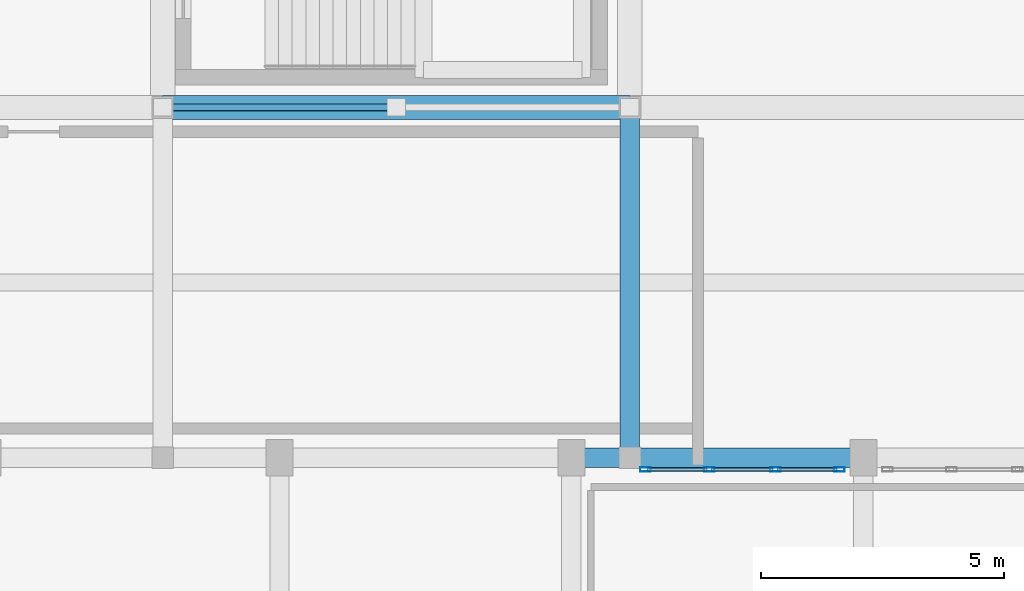
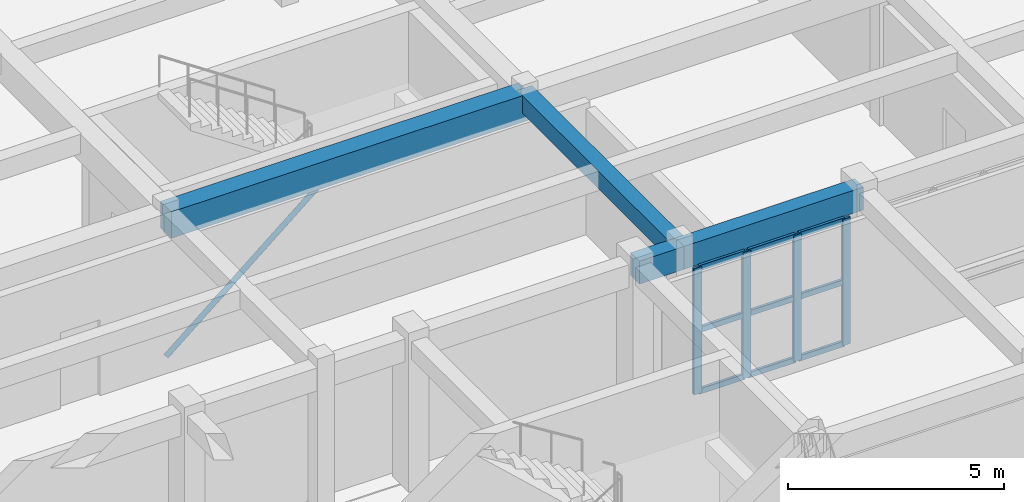
# One storey, part 48 of 92: 14 members, 4 beams, 1 element without a shape of its own.
"""IFC4 building model written with IfcOpenShell, lengths in metres."""

from ifc_helpers import new_model, si_unit, direction, frame, origin, origin_2d, place, context, subcontext, project, spatial, rectangle, hollow_rectangle, hollow_circle, extrude, material, layer, layer_set, material_profile, profile_set, type_object, element, aggregate, save


model = new_model("IFC4")

# Units and contexts
model_context = context("Model", 3, precision=1e-05, world=origin(), true_north=direction((0.0, 1.0)))
body_context = subcontext(model_context, "Body", "Model", "MODEL_VIEW")
ifc_project = project(units=[si_unit("LENGTHUNIT", "METRE"), si_unit("AREAUNIT", "SQUARE_METRE"), si_unit("VOLUMEUNIT", "CUBIC_METRE"), si_unit("PLANEANGLEUNIT", "RADIAN"), si_unit("MASSUNIT", "GRAM", prefix="KILO")], contexts=[model_context])

# Site, building, storey
site_placement = place(None, origin())
site = spatial("IfcSite", under=ifc_project, at=site_placement, CompositionType="ELEMENT")
building_placement = place(site_placement, origin())
building = spatial("IfcBuilding", under=site, at=building_placement, Name="Tarnavel Promenade Courthouse", CompositionType="ELEMENT")
storey_placement = place(building_placement, frame((0.0, 0.0, 5.39990234375)))
storey = spatial("IfcBuildingStorey", under=building, at=storey_placement, Name="L02", CompositionType="ELEMENT", Elevation=5.39990234375)

# Beams
ifc_material_1 = material(Name="Concrete C40/50", Category="concrete")
ifc_material_profile_1 = material_profile(ifc_material_1, rectangle(XDim=0.39990234375, YDim=0.5, at=origin_2d()), Name="RC 400x500")
ifc_profile_set_1 = profile_set([ifc_material_profile_1], Name="Concrete C40/50")
beam_type_1 = type_object("IfcBeamType", Name="Concrete C40/50 BM-RC-400x500 (RC 400x500)", PredefinedType="BEAM", material=ifc_profile_set_1)
beam_1_placement = place(storey_placement, frame((139.199951171875, 67.199951171875, 3.985107421875), z_axis=(0.0, 1.0, 0.0), x_axis=(-1.0, 0.0, 0.0)))
element("IfcBeam", 1, at=beam_1_placement, inside=storey, type_object=beam_type_1, Name="L02 Transverse Girder 1337", PredefinedType="BEAM", context=body_context, shape_type="SweptSolid", body=[
    extrude(rectangle(XDim=0.39990234375, YDim=0.5, at=origin_2d()), origin(), (0.0, 0.0, 1.0), 7.199951171875),
])
ifc_material_profile_2 = material_profile(ifc_material_1, rectangle(XDim=0.39990234375, YDim=0.64990234375, at=origin_2d()), Name="RC 400x650")
ifc_profile_set_2 = profile_set([ifc_material_profile_2], Name="Concrete C40/50")
beam_type_2 = type_object("IfcBeamType", Name="Concrete C40/50 BM-RC-400x650 (RC 400x650)", PredefinedType="BEAM", material=ifc_profile_set_2)
beam_2_placement = place(storey_placement, frame((138.0, 67.199951171875, 3.91015625), z_axis=(1.0, 0.0, 0.0), x_axis=(0.0, 1.0, 0.0)))
element("IfcBeam", 2, at=beam_2_placement, inside=storey, type_object=beam_type_2, Name="L02 Primary Longitudinal Beam 1144", PredefinedType="BEAM", context=body_context, shape_type="SweptSolid", body=[
    extrude(rectangle(XDim=0.39990234375, YDim=0.64990234375, at=origin_2d()), origin(), (0.0, 0.0, 1.0), 1.199951171875),
])
beam_3_placement = place(storey_placement, frame((139.199951171875, 67.199951171875, 3.91015625), z_axis=(1.0, 0.0, 0.0), x_axis=(0.0, 1.0, 0.0)))
element("IfcBeam", 3, at=beam_3_placement, inside=storey, type_object=beam_type_2, Name="L02 Primary Longitudinal Beam 1145", PredefinedType="BEAM", context=body_context, shape_type="SweptSolid", body=[
    extrude(rectangle(XDim=0.39990234375, YDim=0.64990234375, at=origin_2d()), origin(), (0.0, 0.0, 1.0), 4.800048828125),
])
ifc_material_profile_3 = material_profile(ifc_material_1, rectangle(XDim=0.5, YDim=0.75, at=origin_2d()), Name="RC 500x750")
ifc_profile_set_3 = profile_set([ifc_material_profile_3], Name="Concrete C40/50")
beam_type_3 = type_object("IfcBeamType", Name="Concrete C40/50 BM-RC-500x750 (RC 500x750)", PredefinedType="T_BEAM", material=ifc_profile_set_3)
beam_4_placement = place(storey_placement, frame((129.60009765625, 74.39990234375, 3.860107421875), z_axis=(1.0, 0.0, 0.0), x_axis=(0.0, 1.0, 0.0)))
element("IfcBeam", 4, at=beam_4_placement, inside=storey, type_object=beam_type_3, Name="L02 Primary Longitudinal Beam 1164", PredefinedType="T_BEAM", context=body_context, shape_type="SweptSolid", body=[
    extrude(rectangle(XDim=0.5, YDim=0.75, at=origin_2d()), origin(), (0.0, 0.0, 1.0), 9.599853515625),
])

# Member
ifc_material_2 = material(Name="Steel S355J2", Category="steel")
ifc_material_profile_4 = material_profile(ifc_material_2, hollow_circle(Radius=0.06982421875, WallThickness=0.008056640625, at=origin_2d()), Name="CHS 139.7x8")
ifc_profile_set_4 = profile_set([ifc_material_profile_4], Name="Steel S355J2")
member_type_1 = type_object("IfcMemberType", Name="Steel S355J2 MEM-BR-CHS140 (CHS 139.7x8)", PredefinedType="BRACE", material=ifc_profile_set_4)
member_1_placement = place(storey_placement, frame((129.60009765625, 74.39990234375, 0.0), z_axis=(0.769381215256, 0.0, 0.638789907255), x_axis=(0.0, 1.0, 0.0)))
element("IfcMember", 5, at=member_1_placement, inside=storey, type_object=member_type_1, Name="L02 V6 Chevron Brace A 049", PredefinedType="BRACE", context=body_context, shape_type="SweptSolid", body=[
    extrude(hollow_circle(Radius=0.06982421875, WallThickness=0.008056640625, at=origin_2d()), origin(), (0.0, 0.0, 1.0), 6.238525390625),
])

# Curtain wall, members
ifc_material_3 = material(Name="Thermally Broken Anodised Aluminium Curtain Wall System", Category="aluminium")
ifc_layer = layer(ifc_material_3, 0.199951171875)
ifc_layer_set = layer_set([ifc_layer], Name="Thermally Broken Anodised Aluminium Curtain Wall System")
curtain_wall_type = type_object("IfcCurtainWallType", Name="Thermally Broken Aluminium Triple-Glazed Curtain Wall CW-FOYER", PredefinedType="NOTDEFINED", material=ifc_layer_set)
curtain_wall_placement = place(storey_placement, origin())
curtain_wall = element("IfcCurtainWall", 6, at=curtain_wall_placement, inside=storey, type_object=curtain_wall_type, Name="L02 Ceremonial North Cloister Curtain Wall 174", PredefinedType="NOTDEFINED")
ifc_material_4 = material(Name="Thermally Broken Anodised Aluminium Frame", Category="aluminium")
ifc_material_profile_5 = material_profile(ifc_material_4, hollow_rectangle(XDim=0.090087890625, YDim=0.219970703125, WallThickness=0.0048828125, InnerFilletRadius=0.0048828125, OuterFilletRadius=0.010009765625, at=origin_2d()), Name="CWM 220x90x5")
ifc_profile_set_5 = profile_set([ifc_material_profile_5], Name="Thermally Broken Anodised Aluminium Frame")
member_type_2 = type_object("IfcMemberType", Name="Thermally Broken Anodised Aluminium CWM-175 (CWM 220x90x5)", PredefinedType="MULLION", material=ifc_profile_set_5)
member_2_placement = place(storey_placement, frame((143.5048828125, 66.9599609375, 0.0), z_axis=(0.0, 0.0, 1.0), x_axis=(0.0, -1.0, 0.0)))
member_2 = element("IfcMember", 7, at=member_2_placement, type_object=member_type_2, Name="CW-04 mullion 1", PredefinedType="MULLION", context=body_context, shape_type="SweptSolid", body=[
    extrude(hollow_rectangle(XDim=0.090087890625, YDim=0.219970703125, WallThickness=0.0048828125, InnerFilletRadius=0.0048828125, OuterFilletRadius=0.010009765625, at=origin_2d()), origin(), (0.0, 0.0, 1.0), 3.570068359375),
])
member_3_placement = place(storey_placement, frame((142.191650390625, 66.9599609375, 0.0), z_axis=(0.0, 0.0, 1.0), x_axis=(0.0, -1.0, 0.0)))
member_3 = element("IfcMember", 8, at=member_3_placement, type_object=member_type_2, Name="CW-04 mullion 2", PredefinedType="MULLION", context=body_context, shape_type="SweptSolid", body=[
    extrude(hollow_rectangle(XDim=0.090087890625, YDim=0.219970703125, WallThickness=0.0048828125, InnerFilletRadius=0.0048828125, OuterFilletRadius=0.010009765625, at=origin_2d()), origin(), (0.0, 0.0, 1.0), 3.570068359375),
])
member_4_placement = place(storey_placement, frame((140.833251953125, 66.9599609375, 0.0), z_axis=(0.0, 0.0, 1.0), x_axis=(0.0, -1.0, 0.0)))
member_4 = element("IfcMember", 9, at=member_4_placement, type_object=member_type_2, Name="CW-04 mullion 3", PredefinedType="MULLION", context=body_context, shape_type="SweptSolid", body=[
    extrude(hollow_rectangle(XDim=0.090087890625, YDim=0.219970703125, WallThickness=0.0048828125, InnerFilletRadius=0.0048828125, OuterFilletRadius=0.010009765625, at=origin_2d()), origin(), (0.0, 0.0, 1.0), 3.570068359375),
])
member_5_placement = place(storey_placement, frame((139.52001953125, 66.9599609375, 0.0), z_axis=(0.0, 0.0, 1.0), x_axis=(0.0, -1.0, 0.0)))
member_5 = element("IfcMember", 10, at=member_5_placement, type_object=member_type_2, Name="CW-04 mullion 4", PredefinedType="MULLION", context=body_context, shape_type="SweptSolid", body=[
    extrude(hollow_rectangle(XDim=0.090087890625, YDim=0.219970703125, WallThickness=0.0048828125, InnerFilletRadius=0.0048828125, OuterFilletRadius=0.010009765625, at=origin_2d()), origin(), (0.0, 0.0, 1.0), 3.570068359375),
])
ifc_material_profile_6 = material_profile(ifc_material_4, hollow_rectangle(XDim=0.080078125, YDim=0.159912109375, WallThickness=0.0048828125, InnerFilletRadius=0.0048828125, OuterFilletRadius=0.010009765625, at=origin_2d()), Name="CWT 160x80x5")
ifc_profile_set_6 = profile_set([ifc_material_profile_6], Name="Thermally Broken Anodised Aluminium Frame")
member_type_3 = type_object("IfcMemberType", Name="Thermally Broken Anodised Aluminium CWT-145 (CWT 160x80x5)", PredefinedType="USERDEFINED", material=ifc_profile_set_6)
member_6_placement = place(storey_placement, frame((143.4599609375, 66.9599609375, 0.0400390625), z_axis=(-1.0, 0.0, 0.0), x_axis=(0.0, -1.0, 0.0)))
member_6 = element("IfcMember", 11, at=member_6_placement, type_object=member_type_3, Name="CW-04 transom 1.1", ObjectType="TRANSOM", PredefinedType="USERDEFINED", context=body_context, shape_type="SweptSolid", body=[
    extrude(hollow_rectangle(XDim=0.080078125, YDim=0.159912109375, WallThickness=0.0048828125, InnerFilletRadius=0.0048828125, OuterFilletRadius=0.010009765625, at=origin_2d()), origin(), (0.0, 0.0, 1.0), 1.223388671875),
])
member_7_placement = place(storey_placement, frame((143.4599609375, 66.9599609375, 1.78515625), z_axis=(-1.0, 0.0, 0.0), x_axis=(0.0, -1.0, 0.0)))
member_7 = element("IfcMember", 12, at=member_7_placement, type_object=member_type_3, Name="CW-04 transom 1.2", ObjectType="TRANSOM", PredefinedType="USERDEFINED", context=body_context, shape_type="SweptSolid", body=[
    extrude(hollow_rectangle(XDim=0.080078125, YDim=0.159912109375, WallThickness=0.0048828125, InnerFilletRadius=0.0048828125, OuterFilletRadius=0.010009765625, at=origin_2d()), origin(), (0.0, 0.0, 1.0), 1.223388671875),
])
member_8_placement = place(storey_placement, frame((143.4599609375, 66.9599609375, 3.530029296875), z_axis=(-1.0, 0.0, 0.0), x_axis=(0.0, -1.0, 0.0)))
member_8 = element("IfcMember", 13, at=member_8_placement, type_object=member_type_3, Name="CW-04 transom 1.3", ObjectType="TRANSOM", PredefinedType="USERDEFINED", context=body_context, shape_type="SweptSolid", body=[
    extrude(hollow_rectangle(XDim=0.080078125, YDim=0.159912109375, WallThickness=0.0048828125, InnerFilletRadius=0.0048828125, OuterFilletRadius=0.010009765625, at=origin_2d()), origin(), (0.0, 0.0, 1.0), 1.223388671875),
])
member_9_placement = place(storey_placement, frame((142.146728515625, 66.9599609375, 0.0400390625), z_axis=(-1.0, 0.0, 0.0), x_axis=(0.0, -1.0, 0.0)))
member_9 = element("IfcMember", 14, at=member_9_placement, type_object=member_type_3, Name="CW-04 transom 2.1", ObjectType="TRANSOM", PredefinedType="USERDEFINED", context=body_context, shape_type="SweptSolid", body=[
    extrude(hollow_rectangle(XDim=0.080078125, YDim=0.159912109375, WallThickness=0.0048828125, InnerFilletRadius=0.0048828125, OuterFilletRadius=0.010009765625, at=origin_2d()), origin(), (0.0, 0.0, 1.0), 1.268310546875),
])
member_10_placement = place(storey_placement, frame((142.146728515625, 66.9599609375, 1.78515625), z_axis=(-1.0, 0.0, 0.0), x_axis=(0.0, -1.0, 0.0)))
member_10 = element("IfcMember", 15, at=member_10_placement, type_object=member_type_3, Name="CW-04 transom 2.2", ObjectType="TRANSOM", PredefinedType="USERDEFINED", context=body_context, shape_type="SweptSolid", body=[
    extrude(hollow_rectangle(XDim=0.080078125, YDim=0.159912109375, WallThickness=0.0048828125, InnerFilletRadius=0.0048828125, OuterFilletRadius=0.010009765625, at=origin_2d()), origin(), (0.0, 0.0, 1.0), 1.268310546875),
])
member_11_placement = place(storey_placement, frame((142.146728515625, 66.9599609375, 3.530029296875), z_axis=(-1.0, 0.0, 0.0), x_axis=(0.0, -1.0, 0.0)))
member_11 = element("IfcMember", 16, at=member_11_placement, type_object=member_type_3, Name="CW-04 transom 2.3", ObjectType="TRANSOM", PredefinedType="USERDEFINED", context=body_context, shape_type="SweptSolid", body=[
    extrude(hollow_rectangle(XDim=0.080078125, YDim=0.159912109375, WallThickness=0.0048828125, InnerFilletRadius=0.0048828125, OuterFilletRadius=0.010009765625, at=origin_2d()), origin(), (0.0, 0.0, 1.0), 1.268310546875),
])
member_12_placement = place(storey_placement, frame((140.788330078125, 66.9599609375, 0.0400390625), z_axis=(-1.0, 0.0, 0.0), x_axis=(0.0, -1.0, 0.0)))
member_12 = element("IfcMember", 17, at=member_12_placement, type_object=member_type_3, Name="CW-04 transom 3.1", ObjectType="TRANSOM", PredefinedType="USERDEFINED", context=body_context, shape_type="SweptSolid", body=[
    extrude(hollow_rectangle(XDim=0.080078125, YDim=0.159912109375, WallThickness=0.0048828125, InnerFilletRadius=0.0048828125, OuterFilletRadius=0.010009765625, at=origin_2d()), origin(), (0.0, 0.0, 1.0), 1.223388671875),
])
member_13_placement = place(storey_placement, frame((140.788330078125, 66.9599609375, 1.78515625), z_axis=(-1.0, 0.0, 0.0), x_axis=(0.0, -1.0, 0.0)))
member_13 = element("IfcMember", 18, at=member_13_placement, type_object=member_type_3, Name="CW-04 transom 3.2", ObjectType="TRANSOM", PredefinedType="USERDEFINED", context=body_context, shape_type="SweptSolid", body=[
    extrude(hollow_rectangle(XDim=0.080078125, YDim=0.159912109375, WallThickness=0.0048828125, InnerFilletRadius=0.0048828125, OuterFilletRadius=0.010009765625, at=origin_2d()), origin(), (0.0, 0.0, 1.0), 1.223388671875),
])
member_14_placement = place(storey_placement, frame((140.788330078125, 66.9599609375, 3.530029296875), z_axis=(-1.0, 0.0, 0.0), x_axis=(0.0, -1.0, 0.0)))
member_14 = element("IfcMember", 19, at=member_14_placement, type_object=member_type_3, Name="CW-04 transom 3.3", ObjectType="TRANSOM", PredefinedType="USERDEFINED", context=body_context, shape_type="SweptSolid", body=[
    extrude(hollow_rectangle(XDim=0.080078125, YDim=0.159912109375, WallThickness=0.0048828125, InnerFilletRadius=0.0048828125, OuterFilletRadius=0.010009765625, at=origin_2d()), origin(), (0.0, 0.0, 1.0), 1.223388671875),
])
aggregate(curtain_wall, [member_2, member_3, member_4, member_5, member_6, member_7, member_8, member_9, member_10, member_11, member_12, member_13, member_14])

save(model, "model.ifc")
